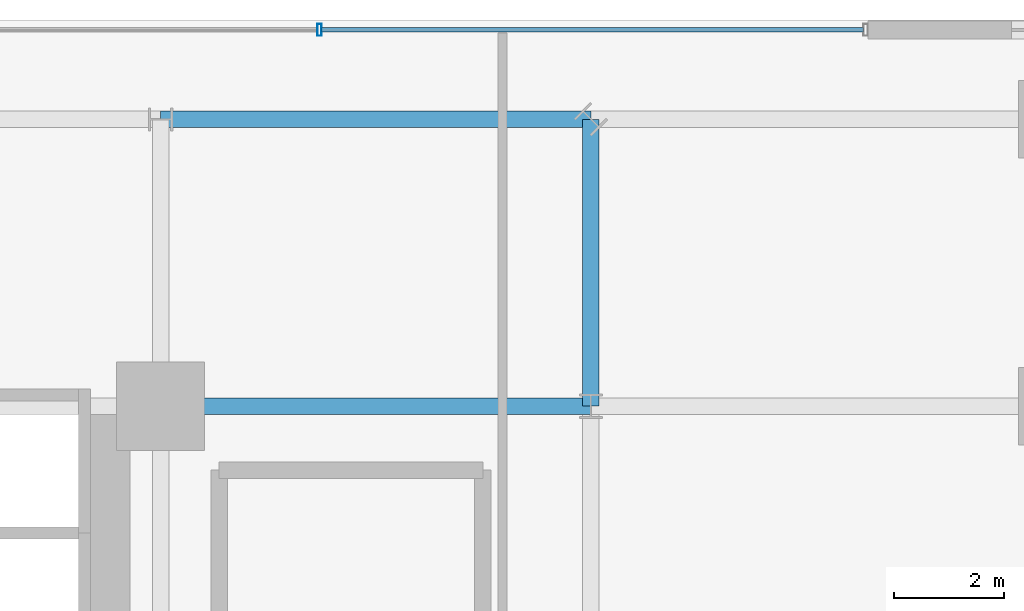
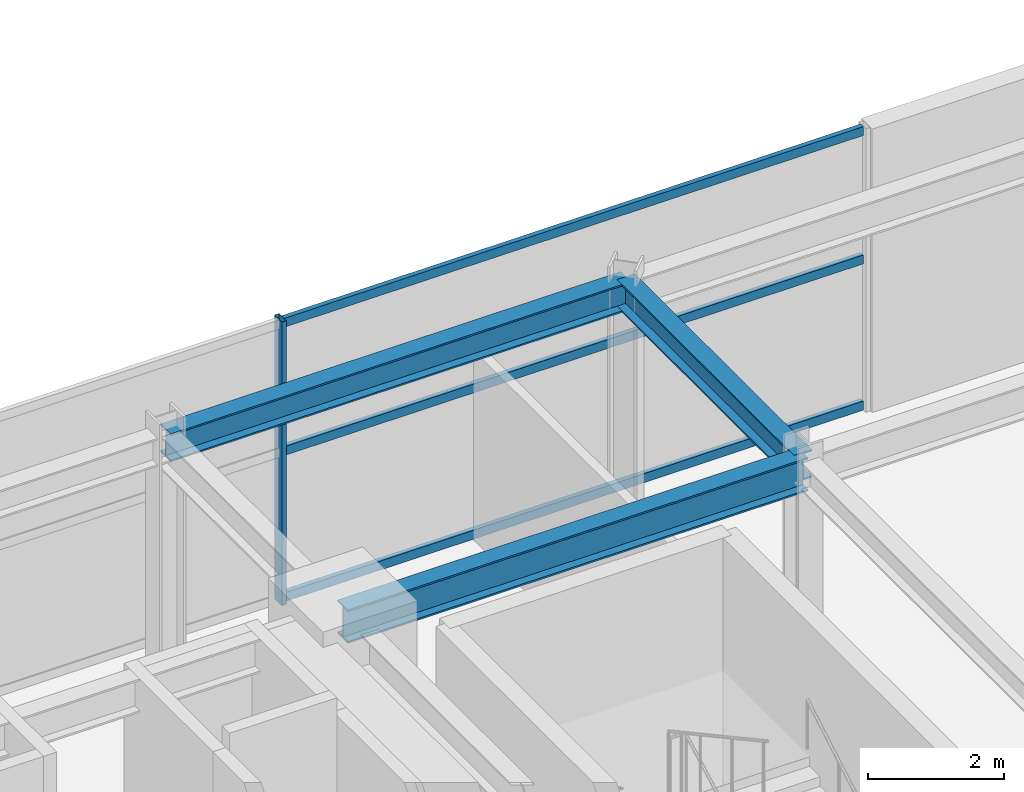
# One storey, part 20 of 34: 4 members, 3 beams, 1 element without a shape of its own.
"""IFC4 building model written with IfcOpenShell, lengths in metres."""

from ifc_helpers import new_model, si_unit, direction, frame, origin, origin_2d, place, context, subcontext, project, spatial, hollow_rectangle, i_section, extrude, source, transform, mapped, material, material_profile, profile_set, type_object, element, aggregate, save


model = new_model("IFC4")

# Units and contexts
model_context = context("Model", 3, precision=1e-05, world=origin(), true_north=direction((0.0, 1.0)))
body_context = subcontext(model_context, "Body", "Model", "MODEL_VIEW")
ifc_project = project(units=[si_unit("LENGTHUNIT", "METRE"), si_unit("AREAUNIT", "SQUARE_METRE"), si_unit("VOLUMEUNIT", "CUBIC_METRE"), si_unit("PLANEANGLEUNIT", "RADIAN"), si_unit("MASSUNIT", "GRAM", prefix="KILO")], contexts=[model_context])

# Site, building, storey
site_placement = place(None, origin())
site = spatial("IfcSite", under=ifc_project, at=site_placement, CompositionType="ELEMENT")
building_placement = place(site_placement, origin())
building = spatial("IfcBuilding", under=site, at=building_placement, Name="Nahalor Promenade Grand Hotel", CompositionType="ELEMENT")
storey_placement = place(building_placement, frame((0.0, 0.0, 16.199951171875)))
storey = spatial("IfcBuildingStorey", under=building, at=storey_placement, Name="L03", CompositionType="ELEMENT", Elevation=16.199951171875)

# Beams
ifc_material_1 = material(Name="Steel S355JR", Category="steel")
ifc_material_profile_1 = material_profile(ifc_material_1, i_section(OverallWidth=0.3, OverallDepth=0.6, WebThickness=0.0155, FlangeThickness=0.03, at=origin_2d()), Name="HEB 600")
ifc_profile_set_1 = profile_set([ifc_material_profile_1], Name="Steel S355JR")
beam_type_1 = type_object("IfcBeamType", Name="Beam-Girder-HEB600", PredefinedType="BEAM", material=ifc_profile_set_1)
shared_shape_1 = source(origin(), body_context, "Body", "SweptSolid", [
    extrude(i_section(OverallWidth=0.3, OverallDepth=0.6, WebThickness=0.0155, FlangeThickness=0.03, at=origin_2d()), origin(), (0.0, 0.0, 1.0), 7.800048828125),
])
beam_1_placement = place(storey_placement, frame((17.0, 17.0, 4.780029296875), z_axis=(1.0, 0.0, 0.0), x_axis=(0.0, 1.0, 0.0)))
element("IfcBeam", 1, at=beam_1_placement, inside=storey, type_object=beam_type_1, Name="BM-L03-GX-3-7", PredefinedType="BEAM", context=body_context, shape_type="MappedRepresentation", body=[
    mapped(shared_shape_1, transform((0.0, 0.0, 0.0), scale=1.0)),
])
ifc_material_profile_2 = material_profile(ifc_material_1, i_section(OverallWidth=0.3, OverallDepth=0.5, WebThickness=0.0145, FlangeThickness=0.028, at=origin_2d()), Name="HEB 500")
ifc_profile_set_2 = profile_set([ifc_material_profile_2], Name="Steel S355JR")
beam_type_2 = type_object("IfcBeamType", Name="Beam-Spandrel-HEB500", PredefinedType="SPANDREL", material=ifc_profile_set_2)
shared_shape_2 = source(origin(), body_context, "Body", "SweptSolid", [
    extrude(i_section(OverallWidth=0.3, OverallDepth=0.5, WebThickness=0.0145, FlangeThickness=0.028, at=origin_2d()), origin(), (0.0, 0.0, 1.0), 7.800048828125),
])
beam_2_placement = place(storey_placement, frame((17.0, 22.199951171875, 4.830078125), z_axis=(1.0, 0.0, 0.0), x_axis=(0.0, 1.0, 0.0)))
element("IfcBeam", 2, at=beam_2_placement, inside=storey, type_object=beam_type_2, Name="BM-L03-SPC-NE-1", PredefinedType="SPANDREL", context=body_context, shape_type="MappedRepresentation", body=[
    mapped(shared_shape_2, transform((0.0, 0.0, 0.0), scale=1.0)),
])
shared_shape_3 = source(origin(), body_context, "Body", "SweptSolid", [
    extrude(i_section(OverallWidth=0.3, OverallDepth=0.5, WebThickness=0.0145, FlangeThickness=0.028, at=origin_2d()), origin(), (0.0, 0.0, 1.0), 5.199951171875),
])
beam_3_placement = place(storey_placement, frame((24.800048828125, 22.199951171875, 4.830078125), z_axis=(0.0, -1.0, 0.0), x_axis=(1.0, 0.0, 0.0)))
element("IfcBeam", 3, at=beam_3_placement, inside=storey, type_object=beam_type_2, Name="BM-L03-SPC-NE-2", PredefinedType="SPANDREL", context=body_context, shape_type="MappedRepresentation", body=[
    mapped(shared_shape_3, transform((0.0, 0.0, 0.0), scale=1.0)),
])

# Curtain wall, members
ifc_material_2 = material(Name="Anodised Bronze Aluminium EN AW-6063 T6", Category="aluminium")
curtain_wall_type = type_object("IfcCurtainWallType", Name="CW1 Waterfront Podium Bronze Arcade Curtain Wall", PredefinedType="USERDEFINED", material=ifc_material_2)
curtain_wall_placement = place(storey_placement, origin())
curtain_wall = element("IfcCurtainWall", 4, at=curtain_wall_placement, inside=storey, type_object=curtain_wall_type, Name="L03 Curtain Wall CW-L03-N", ObjectType="UNITISED_CURTAIN_WALL", PredefinedType="USERDEFINED")
ifc_material_profile_3 = material_profile(ifc_material_2, hollow_rectangle(XDim=0.08, YDim=0.22, WallThickness=0.005, at=origin_2d()), Name="CWM 80x220x5")
ifc_profile_set_3 = profile_set([ifc_material_profile_3], Name="Anodised Bronze Aluminium EN AW-6063 T6")
member_type_1 = type_object("IfcMemberType", Name="CWM1 Podium Bronze Mullion 80x220", PredefinedType="MULLION", material=ifc_profile_set_3)
shared_shape_4 = source(origin(), body_context, "Body", "SweptSolid", [
    extrude(hollow_rectangle(XDim=0.08, YDim=0.22, WallThickness=0.005, at=origin_2d()), origin(), (0.0, 0.0, 1.0), 5.080078125),
])
member_1_placement = place(storey_placement, frame((19.8798828125, 23.820068359375, 0.0), z_axis=(0.0, 0.0, 1.0), x_axis=(1.0, 0.0, 0.0)))
member_1 = element("IfcMember", 5, at=member_1_placement, type_object=member_type_1, Name="CW-L03-N Mullion 5", PredefinedType="MULLION", context=body_context, shape_type="MappedRepresentation", body=[
    mapped(shared_shape_4, transform((0.0, 0.0, 0.0), scale=1.0)),
])
ifc_material_profile_4 = material_profile(ifc_material_2, hollow_rectangle(XDim=0.08, YDim=0.16, WallThickness=0.004, at=origin_2d()), Name="CWT 80x160x4")
ifc_profile_set_4 = profile_set([ifc_material_profile_4], Name="Anodised Bronze Aluminium EN AW-6063 T6")
member_type_2 = type_object("IfcMemberType", Name="CWT1 Podium Bronze Transom 80x160", PredefinedType="USERDEFINED", material=ifc_profile_set_4)
shared_shape_5 = source(origin(), body_context, "Body", "SweptSolid", [
    extrude(hollow_rectangle(XDim=0.08, YDim=0.16, WallThickness=0.004, at=origin_2d()), origin(), (0.0, 0.0, 1.0), 9.820068359375),
])
member_2_placement = place(storey_placement, frame((19.919921875, 23.820068359375, 0.080078125), z_axis=(1.0, 0.0, 0.0), x_axis=(0.0, 1.0, 0.0)))
member_2 = element("IfcMember", 6, at=member_2_placement, type_object=member_type_2, Name="CW-L03-N Transom 5-0", ObjectType="TRANSOM", PredefinedType="USERDEFINED", context=body_context, shape_type="MappedRepresentation", body=[
    mapped(shared_shape_5, transform((0.0, 0.0, 0.0), scale=1.0)),
])
member_3_placement = place(storey_placement, frame((19.919921875, 23.820068359375, 2.699951171875), z_axis=(1.0, 0.0, 0.0), x_axis=(0.0, 1.0, 0.0)))
member_3 = element("IfcMember", 7, at=member_3_placement, type_object=member_type_2, Name="CW-L03-N Transom 5-1", ObjectType="TRANSOM", PredefinedType="USERDEFINED", context=body_context, shape_type="MappedRepresentation", body=[
    mapped(shared_shape_5, transform((0.0, 0.0, 0.0), scale=1.0)),
])
member_4_placement = place(storey_placement, frame((19.919921875, 23.820068359375, 5.0), z_axis=(1.0, 0.0, 0.0), x_axis=(0.0, 1.0, 0.0)))
member_4 = element("IfcMember", 8, at=member_4_placement, type_object=member_type_2, Name="CW-L03-N Transom 5-2", ObjectType="TRANSOM", PredefinedType="USERDEFINED", context=body_context, shape_type="MappedRepresentation", body=[
    mapped(shared_shape_5, transform((0.0, 0.0, 0.0), scale=1.0)),
])
aggregate(curtain_wall, [member_1, member_2, member_3, member_4])

save(model, "model.ifc")
